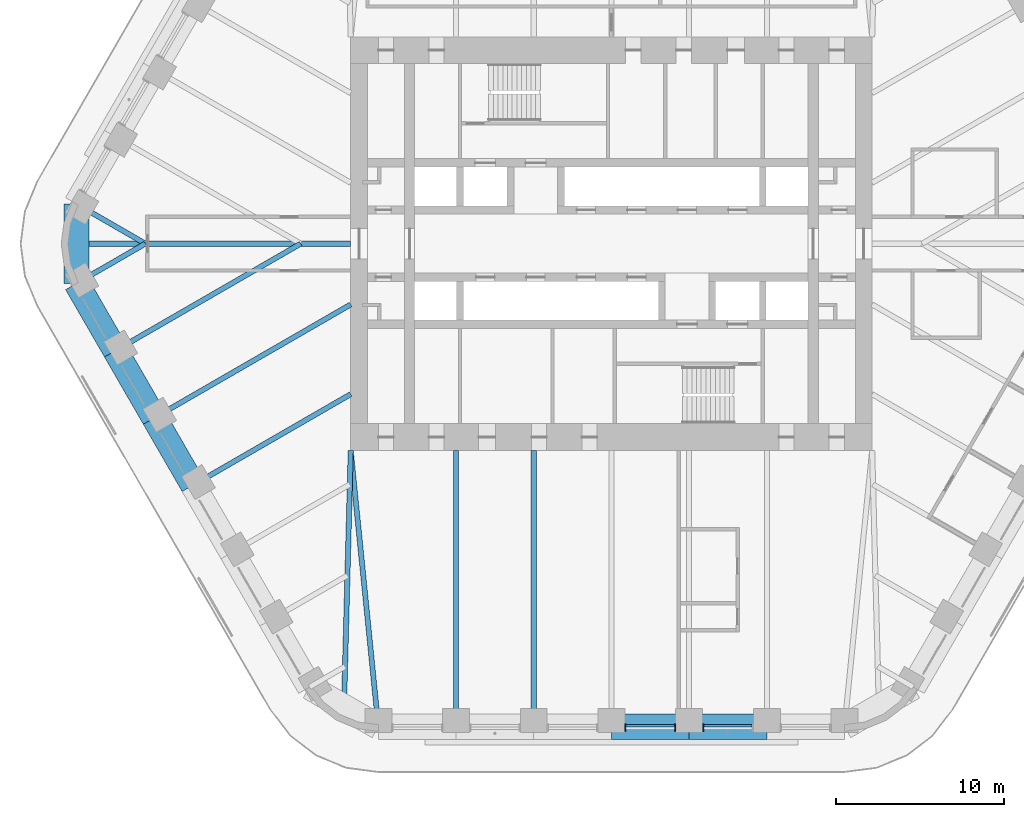
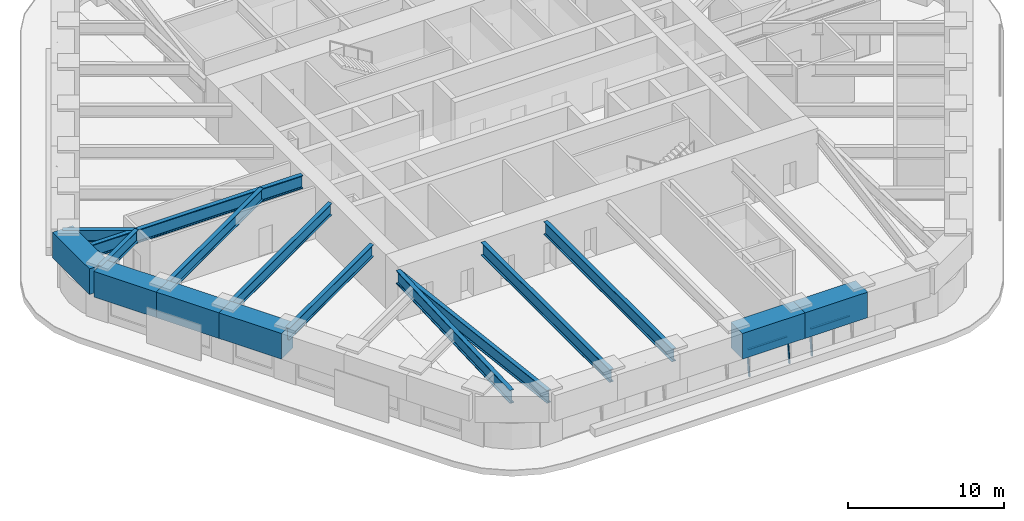
# One storey, part 3 of 20: 16 beams, 5 members, 2 elements without a shape of their own.
"""IFC4 building model written with IfcOpenShell, lengths in metres."""

from ifc_helpers import new_model, si_unit, direction, frame, origin, origin_2d, place, context, subcontext, project, spatial, rectangle, i_section, extrude, material, material_profile, profile_set, type_object, element, aggregate, save


model = new_model("IFC4")

# Units and contexts
model_context = context("Model", 3, precision=1e-05, world=origin(), true_north=direction((0.0, 1.0)))
body_context = subcontext(model_context, "Body", "Model", "MODEL_VIEW")
ifc_project = project(units=[si_unit("LENGTHUNIT", "METRE"), si_unit("AREAUNIT", "SQUARE_METRE"), si_unit("VOLUMEUNIT", "CUBIC_METRE"), si_unit("PLANEANGLEUNIT", "RADIAN"), si_unit("MASSUNIT", "GRAM", prefix="KILO")], contexts=[model_context])

# Site, building, storey
site_placement = place(None, origin())
site = spatial("IfcSite", under=ifc_project, at=site_placement, CompositionType="ELEMENT")
building_placement = place(site_placement, origin())
building = spatial("IfcBuilding", under=site, at=building_placement, Name="Tarfa Lantern Tower", CompositionType="ELEMENT")
storey_placement = place(building_placement, frame((0.0, 0.0, 228.10009765625)))
storey = spatial("IfcBuildingStorey", under=building, at=storey_placement, Name="L51", CompositionType="ELEMENT", Elevation=228.10009765625)

# Curtain wall, members
ifc_material_1 = material(Name="Aluminium framed curtain wall", Category="aluminium")
curtain_wall_type = type_object("IfcCurtainWallType", Name="CW3 CANTED GLAZING HIGH ZONE 2000", PredefinedType="USERDEFINED", material=ifc_material_1)
curtain_wall_1_placement = place(storey_placement, origin())
curtain_wall_1 = element("IfcCurtainWall", 1, at=curtain_wall_1_placement, inside=storey, type_object=curtain_wall_type, Name="CW3 S L51", ObjectType="CURTAIN WALL", PredefinedType="USERDEFINED")
ifc_material_2 = material(Name="Aluminium mullion", Category="aluminium")
ifc_material_profile_1 = material_profile(ifc_material_2, rectangle(XDim=0.06494140625, YDim=0.199951171875, at=origin_2d()), Name="AL MULLION 65x200")
ifc_profile_set_1 = profile_set([ifc_material_profile_1], Name="Aluminium mullion")
member_type_1 = type_object("IfcMemberType", Name="CWM1 MULLION 65x200", PredefinedType="MULLION", material=ifc_profile_set_1)
member_1_placement = place(storey_placement, frame((0.83251953125, -28.89990234375, 0.0), z_axis=(0.0, 0.124034734589, 0.992277876714), x_axis=(-1.0, 0.0, 0.0)))
member_1 = element("IfcMember", 2, at=member_1_placement, type_object=member_type_1, Name="CW3 mullion 1", PredefinedType="MULLION", context=body_context, shape_type="SweptSolid", body=[
    extrude(rectangle(XDim=0.06494140625, YDim=0.199951171875, at=origin_2d()), origin(), (0.0, 0.0, 1.0), 2.015625),
])
member_2_placement = place(storey_placement, frame((3.786376953125, -28.89990234375, 0.0), z_axis=(0.0, 0.124034734589, 0.992277876714), x_axis=(-1.0, 0.0, 0.0)))
member_2 = element("IfcMember", 3, at=member_2_placement, type_object=member_type_1, Name="CW3 mullion 2", PredefinedType="MULLION", context=body_context, shape_type="SweptSolid", body=[
    extrude(rectangle(XDim=0.06494140625, YDim=0.199951171875, at=origin_2d()), origin(), (0.0, 0.0, 1.0), 2.015625),
])

# Curtain wall, member
curtain_wall_2_placement = place(storey_placement, origin())
curtain_wall_2 = element("IfcCurtainWall", 4, at=curtain_wall_2_placement, inside=storey, type_object=curtain_wall_type, Name="CW3 S L51", ObjectType="CURTAIN WALL", PredefinedType="USERDEFINED")
member_3_placement = place(storey_placement, frame((5.451416015625, -28.89990234375, 0.0), z_axis=(0.0, 0.124034734589, 0.992277876714), x_axis=(-1.0, 0.0, 0.0)))
member_3 = element("IfcMember", 5, at=member_3_placement, type_object=member_type_1, Name="CW3 mullion 1", PredefinedType="MULLION", context=body_context, shape_type="SweptSolid", body=[
    extrude(rectangle(XDim=0.06494140625, YDim=0.199951171875, at=origin_2d()), origin(), (0.0, 0.0, 1.0), 2.015625),
])

# Member
ifc_material_3 = material(Name="Aluminium transom", Category="aluminium")
ifc_material_profile_2 = material_profile(ifc_material_3, rectangle(XDim=0.14990234375, YDim=0.06494140625, at=origin_2d()), Name="AL TRANSOM 150x65")
ifc_profile_set_2 = profile_set([ifc_material_profile_2], Name="Aluminium transom")
member_type_2 = type_object("IfcMemberType", Name="CWT1 TRANSOM 150x65", PredefinedType="USERDEFINED", material=ifc_profile_set_2)
member_4_placement = place(storey_placement, frame((0.864990234375, -28.654052734375, 1.96728515625), z_axis=(1.0, 0.0, 0.0), x_axis=(0.0, 1.0, 0.0)))
member_4 = element("IfcMember", 6, at=member_4_placement, type_object=member_type_2, Name="CW3 transom 1.2", ObjectType="TRANSOM", PredefinedType="USERDEFINED", context=body_context, shape_type="SweptSolid", body=[
    extrude(rectangle(XDim=0.14990234375, YDim=0.06494140625, at=origin_2d()), origin(), (0.0, 0.0, 1.0), 2.888916015625),
])

aggregate(curtain_wall_1, [member_1, member_2, member_4])

member_5_placement = place(storey_placement, frame((5.48388671875, -28.654052734375, 1.96728515625), z_axis=(1.0, 0.0, 0.0), x_axis=(0.0, 1.0, 0.0)))
member_5 = element("IfcMember", 7, at=member_5_placement, type_object=member_type_2, Name="CW3 transom 1.2", ObjectType="TRANSOM", PredefinedType="USERDEFINED", context=body_context, shape_type="SweptSolid", body=[
    extrude(rectangle(XDim=0.14990234375, YDim=0.06494140625, at=origin_2d()), origin(), (0.0, 0.0, 1.0), 2.888671875),
])

aggregate(curtain_wall_2, [member_3, member_5])

# Beams
ifc_material_4 = material(Name="Concrete C80/95", Category="concrete")
ifc_material_profile_3 = material_profile(ifc_material_4, rectangle(XDim=1.5, YDim=2.0, at=origin_2d()), Name="RC 1500x2000")
ifc_profile_set_3 = profile_set([ifc_material_profile_3], Name="Concrete C80/95")
beam_type_1 = type_object("IfcBeamType", Name="RB3 RC 1500x2000", PredefinedType="BEAM", material=ifc_profile_set_3)
beam_1_placement = place(storey_placement, frame((-31.800537109375, 2.360107421875, 3.0), z_axis=(0.0, -1.0, 0.0), x_axis=(1.0, 0.0, 0.0)))
element("IfcBeam", 8, at=beam_1_placement, inside=storey, type_object=beam_type_1, Name="Edge beam NW6", PredefinedType="BEAM", context=body_context, shape_type="SweptSolid", body=[
    extrude(rectangle(XDim=1.5, YDim=2.0, at=origin_2d()), origin(), (0.0, 0.0, 1.0), 4.72021484375),
])
beam_2_placement = place(storey_placement, frame((-31.800537109375, -2.360107421875, 3.0), z_axis=(0.500027479704, -0.866009537788, 0.0), x_axis=(0.866009537788, 0.500027479704, 0.0)))
element("IfcBeam", 9, at=beam_2_placement, inside=storey, type_object=beam_type_1, Name="Edge beam SW0", PredefinedType="BEAM", context=body_context, shape_type="SweptSolid", body=[
    extrude(rectangle(XDim=1.5, YDim=2.0, at=origin_2d()), origin(), (0.0, 0.0, 1.0), 4.618896484375),
])
for number, where, z_axis, x_axis, name in (
    (10, (-29.490966796875, -6.360107421875, 3.0), (0.499987836815, -0.866032426089, 0.0), (0.866032426089, 0.499987836815, 0.0), "Edge beam SW1"),
    (11, (-27.181640625, -10.360107421875, 3.0), (0.499987836815, -0.866032426089, 0.0), (0.866032426089, 0.499987836815, 0.0), "Edge beam SW2"),
):
    element("IfcBeam", number, at=place(storey_placement, frame(where, z_axis=z_axis, x_axis=x_axis)), inside=storey, type_object=beam_type_1, Name=name, PredefinedType="BEAM", context=body_context, shape_type="SweptSolid", body=[
        extrude(rectangle(XDim=1.5, YDim=2.0, at=origin_2d()), origin(), (0.0, 0.0, 1.0), 4.61865234375),
    ])
beam_3_placement = place(storey_placement, frame((0.0, -28.719970703125, 3.0), z_axis=(1.0, 0.0, 0.0), x_axis=(0.0, 1.0, 0.0)))
element("IfcBeam", 12, at=beam_3_placement, inside=storey, type_object=beam_type_1, Name="Edge beam S3", PredefinedType="BEAM", context=body_context, shape_type="SweptSolid", body=[
    extrude(rectangle(XDim=1.5, YDim=2.0, at=origin_2d()), origin(), (0.0, 0.0, 1.0), 4.618896484375),
])
beam_4_placement = place(storey_placement, frame((4.618896484375, -28.719970703125, 3.0), z_axis=(1.0, 0.0, 0.0), x_axis=(0.0, 1.0, 0.0)))
element("IfcBeam", 13, at=beam_4_placement, inside=storey, type_object=beam_type_1, Name="Edge beam S4", PredefinedType="BEAM", context=body_context, shape_type="SweptSolid", body=[
    extrude(rectangle(XDim=1.5, YDim=2.0, at=origin_2d()), origin(), (0.0, 0.0, 1.0), 4.61865234375),
])
ifc_material_5 = material(Name="Steel S460M", Category="steel")
ifc_material_profile_4 = material_profile(ifc_material_5, i_section(OverallWidth=0.302001953125, OverallDepth=1.008056640625, WebThickness=0.02099609375, FlangeThickness=0.0400390625, FilletRadius=0.030029296875, at=origin_2d()), Name="UB1016x305x349")
ifc_profile_set_4 = profile_set([ifc_material_profile_4], Name="Steel S460M")
beam_type_2 = type_object("IfcBeamType", Name="UB1016x305x349", PredefinedType="BEAM", material=ifc_profile_set_4)
beam_5_placement = place(storey_placement, frame((-13.8564453125, -28.719970703125, 3.495849609375), z_axis=(-0.099597466746, 0.995027810977, 0.0), x_axis=(-0.995027810977, -0.099597466746, 0.0)))
element("IfcBeam", 14, at=beam_5_placement, inside=storey, type_object=beam_type_2, Name="Floor beam S0", PredefinedType="BEAM", context=body_context, shape_type="SweptSolid", body=[
    extrude(i_section(OverallWidth=0.302001953125, OverallDepth=1.008056640625, WebThickness=0.02099609375, FlangeThickness=0.0400390625, FilletRadius=0.030029296875, at=origin_2d()), origin(), (0.0, 0.0, 1.0), 16.501953125),
])
for number, where, z_axis, x_axis, name in (
    (15, (-9.237548828125, -28.719970703125, 3.495849609375), (0.0, 1.0, 0.0), (-1.0, 0.0, 0.0), "Floor beam S1"),
    (16, (-4.618896484375, -28.719970703125, 3.495849609375), (0.0, 1.0, 0.0), (-1.0, 0.0, 0.0), "Floor beam S2"),
):
    element("IfcBeam", number, at=place(storey_placement, frame(where, z_axis=z_axis, x_axis=x_axis)), inside=storey, type_object=beam_type_2, Name=name, PredefinedType="BEAM", context=body_context, shape_type="SweptSolid", body=[
        extrude(i_section(OverallWidth=0.302001953125, OverallDepth=1.008056640625, WebThickness=0.02099609375, FlangeThickness=0.0400390625, FilletRadius=0.030029296875, at=origin_2d()), origin(), (0.0, 0.0, 1.0), 16.419921875),
    ])
ifc_material_profile_5 = material_profile(ifc_material_5, i_section(OverallWidth=0.30859375, OverallDepth=1.036376953125, WebThickness=0.030029296875, FlangeThickness=0.05419921875, FilletRadius=0.030029296875, at=origin_2d()), Name="UB1016x305x487")
ifc_profile_set_5 = profile_set([ifc_material_profile_5], Name="Steel S460M")
beam_type_3 = type_object("IfcBeamType", Name="UB1016x305x487", PredefinedType="BEAM", material=ifc_profile_set_5)
beam_6_placement = place(storey_placement, frame((-15.5, 0.0, 3.481689453125), z_axis=(-1.0, 0.0, 0.0), x_axis=(0.0, -1.0, 0.0)))
element("IfcBeam", 17, at=beam_6_placement, inside=storey, type_object=beam_type_3, Name="Hip girder W", PredefinedType="BEAM", context=body_context, shape_type="SweptSolid", body=[
    extrude(i_section(OverallWidth=0.30859375, OverallDepth=1.036376953125, WebThickness=0.030029296875, FlangeThickness=0.05419921875, FilletRadius=0.030029296875, at=origin_2d()), origin(), (0.0, 0.0, 1.0), 16.300537109375),
])
beam_7_placement = place(storey_placement, frame((-15.5, -12.300048828125, 3.481689453125), z_axis=(-0.026247301989, -0.999655480222, 0.0), x_axis=(0.999655480222, -0.026247301989, 0.0)))
element("IfcBeam", 18, at=beam_7_placement, inside=storey, type_object=beam_type_3, Name="Hip girder SW", PredefinedType="BEAM", context=body_context, shape_type="SweptSolid", body=[
    extrude(i_section(OverallWidth=0.30859375, OverallDepth=1.036376953125, WebThickness=0.030029296875, FlangeThickness=0.05419921875, FilletRadius=0.030029296875, at=origin_2d()), origin(), (0.0, 0.0, 1.0), 15.245361328125),
])
ifc_material_profile_6 = material_profile(ifc_material_5, i_section(OverallWidth=0.305419921875, OverallDepth=0.91845703125, WebThickness=0.017333984375, FlangeThickness=0.02783203125, FilletRadius=0.01904296875, at=origin_2d()), Name="UB914x305x253")
ifc_profile_set_6 = profile_set([ifc_material_profile_6], Name="Steel S460M")
beam_type_4 = type_object("IfcBeamType", Name="UB914x305x253", PredefinedType="BEAM", material=ifc_profile_set_6)
for number, where, z_axis, x_axis, name in (
    (19, (-31.800537109375, 2.360107421875, 3.540771484375), (0.866015897305, -0.500016465344, 0.0), (0.500016465344, 0.866015897305, 0.0), "Floor beam NW6"),
    (20, (-31.800537109375, -2.360107421875, 3.540771484375), (0.866015897305, 0.500016465344, 0.0), (-0.500016465344, 0.866015897305, 0.0), "Floor beam SW0"),
):
    element("IfcBeam", number, at=place(storey_placement, frame(where, z_axis=z_axis, x_axis=x_axis)), inside=storey, type_object=beam_type_4, Name=name, PredefinedType="BEAM", context=body_context, shape_type="SweptSolid", body=[
        extrude(i_section(OverallWidth=0.305419921875, OverallDepth=0.91845703125, WebThickness=0.017333984375, FlangeThickness=0.02783203125, FilletRadius=0.01904296875, at=origin_2d()), origin(), (0.0, 0.0, 1.0), 4.719970703125),
    ])
beam_8_placement = place(storey_placement, frame((-29.490966796875, -6.360107421875, 3.540771484375), z_axis=(0.866022258038, 0.500005448553, 0.0), x_axis=(-0.500005448553, 0.866022258038, 0.0)))
element("IfcBeam", 21, at=beam_8_placement, inside=storey, type_object=beam_type_4, Name="Floor beam SW1", PredefinedType="BEAM", context=body_context, shape_type="SweptSolid", body=[
    extrude(i_section(OverallWidth=0.305419921875, OverallDepth=0.91845703125, WebThickness=0.017333984375, FlangeThickness=0.02783203125, FilletRadius=0.01904296875, at=origin_2d()), origin(), (0.0, 0.0, 1.0), 12.719970703125),
])
beam_9_placement = place(storey_placement, frame((-27.181640625, -10.360107421875, 3.540771484375), z_axis=(0.866018002818, 0.500012818631, 0.0), x_axis=(-0.500012818631, 0.866018002818, 0.0)))
element("IfcBeam", 22, at=beam_9_placement, inside=storey, type_object=beam_type_4, Name="Floor beam SW2", PredefinedType="BEAM", context=body_context, shape_type="SweptSolid", body=[
    extrude(i_section(OverallWidth=0.305419921875, OverallDepth=0.91845703125, WebThickness=0.017333984375, FlangeThickness=0.02783203125, FilletRadius=0.01904296875, at=origin_2d()), origin(), (0.0, 0.0, 1.0), 13.489013671875),
])
beam_10_placement = place(storey_placement, frame((-24.872314453125, -14.360107421875, 3.540771484375), z_axis=(0.8660244219, 0.500001700669, 0.0), x_axis=(-0.500001700669, 0.8660244219, 0.0)))
element("IfcBeam", 23, at=beam_10_placement, inside=storey, type_object=beam_type_4, Name="Floor beam SW3", PredefinedType="BEAM", context=body_context, shape_type="SweptSolid", body=[
    extrude(i_section(OverallWidth=0.305419921875, OverallDepth=0.91845703125, WebThickness=0.017333984375, FlangeThickness=0.02783203125, FilletRadius=0.01904296875, at=origin_2d()), origin(), (0.0, 0.0, 1.0), 10.822265625),
])

save(model, "model.ifc")
